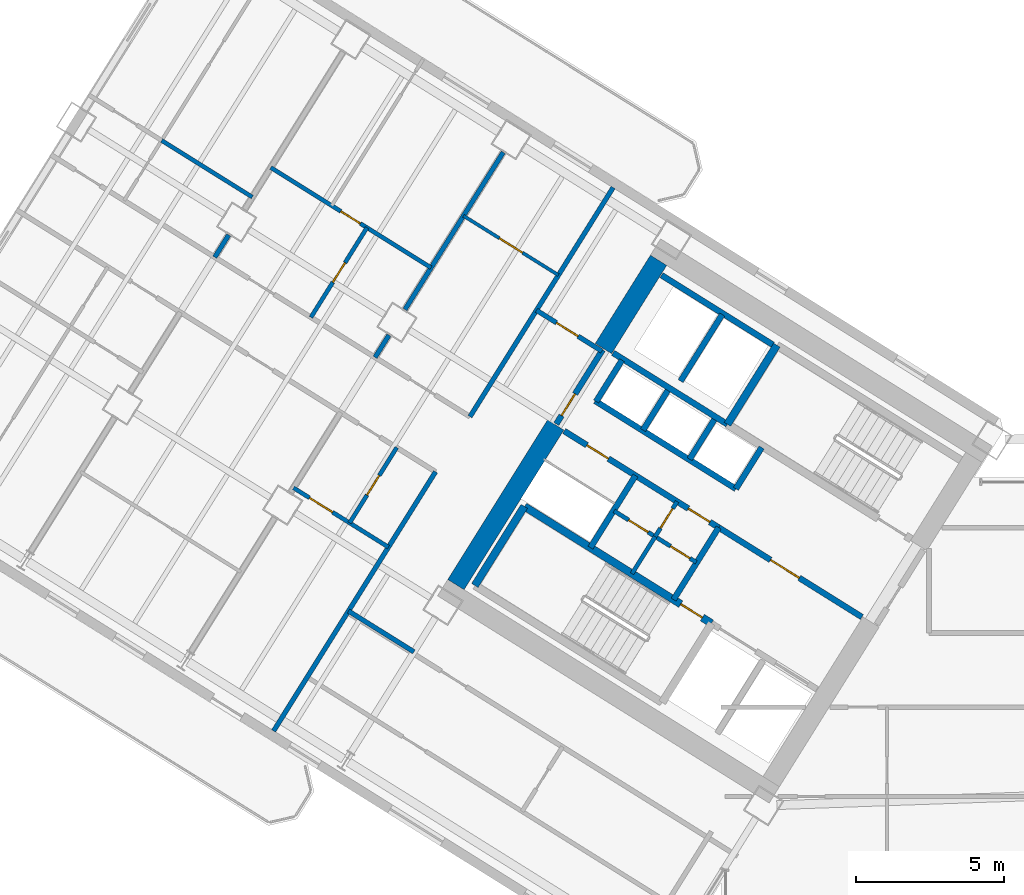
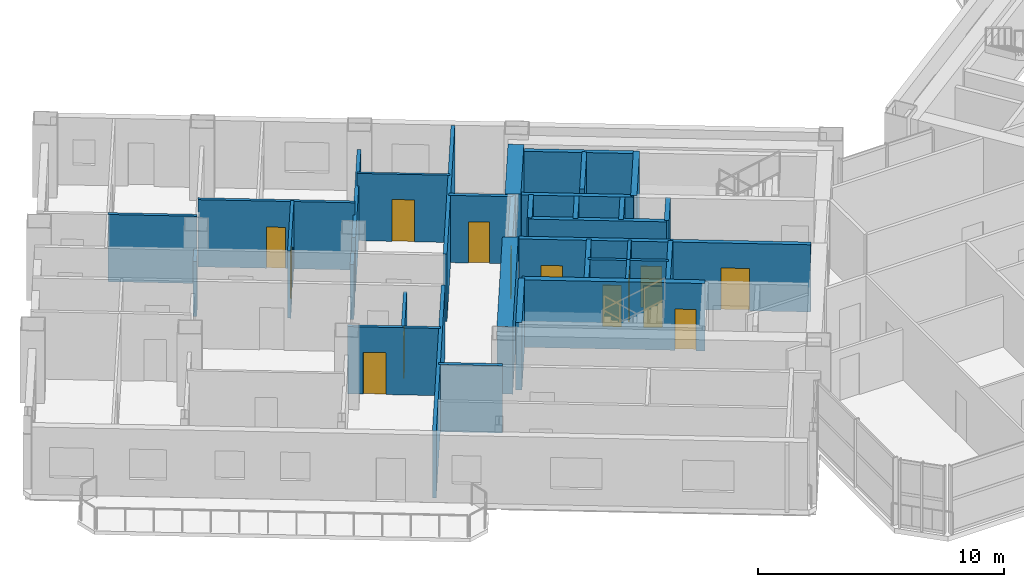
# One storey, part 16 of 24: 34 walls, 14 doors, 14 openings.
"""IFC4 building model written with IfcOpenShell, lengths in metres."""

from ifc_helpers import new_model, si_unit, direction, frame, frame_2d, origin, place, context, subcontext, project, spatial, rectangle, extrude, source, transform, mapped, material, layer, layer_set, type_object, element, fill, save


model = new_model("IFC4")

# Units and contexts
model_context = context("Model", 3, precision=1e-05, world=origin(), true_north=direction((0.0, 1.0)))
body_context = subcontext(model_context, "Body", "Model", "MODEL_VIEW")
ifc_project = project(units=[si_unit("LENGTHUNIT", "METRE"), si_unit("AREAUNIT", "SQUARE_METRE"), si_unit("VOLUMEUNIT", "CUBIC_METRE"), si_unit("PLANEANGLEUNIT", "RADIAN"), si_unit("MASSUNIT", "GRAM", prefix="KILO")], contexts=[model_context])

# Site, building, storey
site_placement = place(None, origin())
site = spatial("IfcSite", under=ifc_project, at=site_placement, CompositionType="ELEMENT")
building_placement = place(site_placement, origin())
building = spatial("IfcBuilding", under=site, at=building_placement, Name="Tlacorven Tower", CompositionType="ELEMENT")
storey_placement = place(building_placement, frame((0.0, 0.0, 45.60009765625)))
storey = spatial("IfcBuildingStorey", under=building, at=storey_placement, Name="L11", CompositionType="ELEMENT", Elevation=45.60009765625)

# Walls
ifc_material_1 = material(Name="Concrete C60/75", Category="concrete")
ifc_layer_1 = layer(ifc_material_1, 0.64990234375)
ifc_layer_set_1 = layer_set([ifc_layer_1], Name="Concrete C60/75")
wall_type_1 = type_object("IfcWallType", Name="WL-COR-650", PredefinedType="SHEAR", material=ifc_layer_set_1)
wall_1_placement = place(storey_placement, frame((29.49072265625, 30.5517578125, 0.0), z_axis=(0.0, 0.0, 1.0), x_axis=(-0.529893103397, -0.8480644427, 0.0)))
element("IfcWall", 1, at=wall_1_placement, inside=storey, type_object=wall_type_1, Name="L11 W core end wall E2.1", PredefinedType="SHEAR", context=body_context, shape_type="SweptSolid", body=[
    extrude(rectangle(XDim=3.525146484375, YDim=0.64990234375, at=frame_2d((1.7626953125, 0.0))), origin(), (0.0, 0.0, 1.0), 3.349853515625),
])
wall_2_placement = place(storey_placement, frame((26.006591796875, 24.975830078125, 0.0), z_axis=(0.0, 0.0, 1.0), x_axis=(-0.529916319127, -0.848049936456, 0.0)))
element("IfcWall", 2, at=wall_2_placement, inside=storey, type_object=wall_type_1, Name="L11 W core end wall E2.2", PredefinedType="SHEAR", context=body_context, shape_type="SweptSolid", body=[
    extrude(rectangle(XDim=6.375, YDim=0.64990234375, at=frame_2d((3.1875, 0.0))), origin(), (0.0, 0.0, 1.0), 3.349853515625),
])

# Wall, opening, door
ifc_material_2 = material(Name="Gypsum plasterboard acoustic partition", Category="gypsum")
ifc_layer_2 = layer(ifc_material_2, 0.159912109375)
ifc_layer_set_2 = layer_set([ifc_layer_2], Name="Gypsum plasterboard acoustic partition")
wall_type_2 = type_object("IfcWallType", Name="WL-DEM-160", PredefinedType="PARTITIONING", material=ifc_layer_set_2)
wall_3_placement = place(storey_placement, frame((27.56982421875, 27.4775390625, 0.0), z_axis=(0.0, 0.0, 1.0), x_axis=(-0.848050851465, 0.529914854792, 0.0)))
wall_3 = element("IfcWall", 3, at=wall_3_placement, inside=storey, type_object=wall_type_2, Name="L11 partition 49", PredefinedType="PARTITIONING", context=body_context, shape_type="SweptSolid", body=[
    extrude(rectangle(XDim=2.60986328125, YDim=0.159912109375, at=frame_2d((1.304931640625, 0.0))), origin(), (0.0, 0.0, 1.0), 3.33984375),
])
opening_1_placement = place(wall_3_placement, frame((0.949951171875, 0.0, 0.0)))
opening_1 = element("IfcOpeningElement", 4, at=opening_1_placement, cuts=wall_3, Name="Opening D19", PredefinedType="OPENING", context=body_context, shape_type="SweptSolid", body=[
    extrude(rectangle(XDim=0.860107421875, YDim=2.050048828125, at=frame_2d((0.43017578125, 1.02490234375))), frame((0.0, 0.08984375, 0.0), z_axis=(0.0, -1.0, 0.0), x_axis=(1.0, 0.0, 0.0)), (0.0, 0.0, 1.0), 0.179931640625),
])
ifc_material_3 = material(Name="Fire-rated steel door assembly", Category="steel")
door_type_1 = type_object("IfcDoorType", Name="DR-RSR-FD60-0860", OperationType="NOTDEFINED", PredefinedType="DOOR", material=ifc_material_3)
shared_shape_1 = source(origin(), body_context, "Body", "SweptSolid", [
    extrude(rectangle(XDim=0.860107421875, YDim=2.050048828125, at=frame_2d((0.43017578125, 1.02490234375))), frame((0.0, 0.02490234375, 0.0), z_axis=(0.0, -1.0, 0.0), x_axis=(1.0, 0.0, 0.0)), (0.0, 0.0, 1.0), 0.050048828125),
])
door_1_placement = place(opening_1_placement, frame((0.860107421875, 0.0, 0.0), z_axis=(0.0, 0.0, 1.0), x_axis=(-1.0, 0.0, 0.0)))
door_1 = element("IfcDoor", 5, at=door_1_placement, inside=storey, type_object=door_type_1, Name="L11 door 021", OperationType="SINGLE_SWING_LEFT", OverallHeight=2.050048828125, OverallWidth=0.860107421875, PredefinedType="DOOR", context=body_context, shape_type="MappedRepresentation", body=[
    mapped(shared_shape_1, transform((0.0, 0.0, 0.0), scale=1.0)),
])
fill(opening_1, door_1)

# Walls
wall_4_placement = place(storey_placement, frame((21.20556640625, 17.29248046875, 0.0), z_axis=(0.0, 0.0, 1.0), x_axis=(-0.848050851465, 0.529914854792, 0.0)))
element("IfcWall", 6, at=wall_4_placement, inside=storey, type_object=wall_type_2, Name="L11 partition 50", PredefinedType="PARTITIONING", context=body_context, shape_type="SweptSolid", body=[
    extrude(rectangle(XDim=2.60986328125, YDim=0.159912109375, at=frame_2d((1.304931640625, 0.0))), origin(), (0.0, 0.0, 1.0), 3.33984375),
])
wall_5_placement = place(storey_placement, frame((27.952880859375, 33.01611328125, 0.0), z_axis=(0.0, 0.0, 1.0), x_axis=(-0.529903001606, -0.848058257957, 0.0)))
element("IfcWall", 7, at=wall_5_placement, inside=storey, type_object=wall_type_2, Name="L11 partition 51", PredefinedType="PARTITIONING", context=body_context, shape_type="SweptSolid", body=[
    extrude(rectangle(XDim=9.150146484375, YDim=0.159912109375, at=frame_2d((4.5751953125, 0.0))), origin(), (0.0, 0.0, 1.0), 3.33984375),
])
wall_6_placement = place(storey_placement, frame((21.9384765625, 23.390625, 0.0), z_axis=(0.0, 0.0, 1.0), x_axis=(-0.529924725692, -0.848044683434, 0.0)))
element("IfcWall", 8, at=wall_6_placement, inside=storey, type_object=wall_type_2, Name="L11 partition 52", PredefinedType="PARTITIONING", context=body_context, shape_type="SweptSolid", body=[
    extrude(rectangle(XDim=10.349853515625, YDim=0.159912109375, at=frame_2d((5.1748046875, 0.0))), origin(), (0.0, 0.0, 1.0), 3.33984375),
])
wall_7_placement = place(storey_placement, frame((24.22900390625, 34.208740234375, 0.0), z_axis=(0.0, 0.0, 1.0), x_axis=(-0.529897533635, -0.848061674554, 0.0)))
element("IfcWall", 9, at=wall_7_placement, inside=storey, type_object=wall_type_2, Name="L11 WS Demising Wall 1", PredefinedType="PARTITIONING", context=body_context, shape_type="SweptSolid", body=[
    extrude(rectangle(XDim=6.276123046875, YDim=0.159912109375, at=frame_2d((3.13818359375, 0.0))), origin(), (0.0, 0.0, 1.0), 2.724853515625),
])
for number, where, z_axis, x_axis, name in (
    (10, (20.360595703125, 28.017822265625, 0.0), (0.0, 0.0, 1.0), (-0.529900064649, -0.848060093086, 0.0), "L11 WS Demising Wall 1"),
    (11, (14.93310546875, 31.409423828125, 0.0), (0.0, 0.0, 1.0), (-0.529776512202, -0.848137280821, 0.0), "L11 WS Demising Wall 2"),
):
    element("IfcWall", number, at=place(storey_placement, frame(where, z_axis=z_axis, x_axis=x_axis)), inside=storey, type_object=wall_type_2, Name=name, PredefinedType="PARTITIONING", context=body_context, shape_type="SweptSolid", body=[
        extrude(rectangle(XDim=0.887939453125, YDim=0.159912109375, at=frame_2d((0.44384765625, 0.0))), origin(), (0.0, 0.0, 1.0), 2.724853515625),
    ])

# Wall, opening, door
ifc_material_4 = material(Name="Gypsum plasterboard partition", Category="gypsum")
ifc_layer_3 = layer(ifc_material_4, 0.110107421875)
ifc_layer_set_3 = layer_set([ifc_layer_3], Name="Gypsum plasterboard partition")
wall_type_3 = type_object("IfcWallType", Name="WL-INT-110", PredefinedType="PARTITIONING", material=ifc_layer_set_3)
wall_8_placement = place(storey_placement, frame((26.099365234375, 30.049560546875, 0.0), z_axis=(0.0, 0.0, 1.0), x_axis=(-0.84803087207, 0.529946827537, 0.0)))
wall_8 = element("IfcWall", 12, at=wall_8_placement, inside=storey, type_object=wall_type_3, Name="L11 partition 66", PredefinedType="PARTITIONING", context=body_context, shape_type="SweptSolid", body=[
    extrude(rectangle(XDim=3.7900390625, YDim=0.110107421875, at=frame_2d((1.89501953125, 0.0))), origin(), (0.0, 0.0, 1.0), 3.33984375),
])
opening_2_placement = place(wall_8_placement, frame((1.43505859375, 0.0, 0.0)))
opening_2 = element("IfcOpeningElement", 13, at=opening_2_placement, cuts=wall_8, Name="Opening D12", PredefinedType="OPENING", context=body_context, shape_type="SweptSolid", body=[
    extrude(rectangle(XDim=0.919921875, YDim=2.080078125, at=frame_2d((0.4599609375, 1.0400390625))), frame((0.0, 0.06494140625, 0.0), z_axis=(0.0, -1.0, 0.0), x_axis=(1.0, 0.0, 0.0)), (0.0, 0.0, 1.0), 0.130126953125),
])
ifc_material_5 = material(Name="Powder-coated aluminium and timber door", Category="wood")
door_type_2 = type_object("IfcDoorType", Name="DR-INT-ROOM-0920", OperationType="NOTDEFINED", PredefinedType="DOOR", material=ifc_material_5)
shared_shape_2 = source(origin(), body_context, "Body", "SweptSolid", [
    extrude(rectangle(XDim=0.919921875, YDim=2.080078125, at=frame_2d((0.4599609375, 1.0400390625))), frame((0.0, 0.02490234375, 0.0), z_axis=(0.0, -1.0, 0.0), x_axis=(1.0, 0.0, 0.0)), (0.0, 0.0, 1.0), 0.050048828125),
])
door_2_placement = place(opening_2_placement, origin())
door_2 = element("IfcDoor", 14, at=door_2_placement, inside=storey, type_object=door_type_2, Name="L11 door 034", OperationType="SINGLE_SWING_LEFT", OverallHeight=2.080078125, OverallWidth=0.919921875, PredefinedType="DOOR", context=body_context, shape_type="MappedRepresentation", body=[
    mapped(shared_shape_2, transform((0.0, 0.0, 0.0), scale=1.0)),
])
fill(opening_2, door_2)

ifc_material_6 = material(Name="Moisture-resistant gypsum plumbing wall", Category="gypsum")
ifc_layer_4 = layer(ifc_material_6, 0.139892578125)
ifc_layer_set_4 = layer_set([ifc_layer_4], Name="Moisture-resistant gypsum plumbing wall")
wall_type_4 = type_object("IfcWallType", Name="WL-PLM-140", PredefinedType="PLUMBINGWALL", material=ifc_layer_set_4)
wall_9_placement = place(storey_placement, frame((30.117431640625, 22.383544921875, 0.0), z_axis=(0.0, 0.0, 1.0), x_axis=(-0.529951914384, -0.848027693204, 0.0)))
wall_9 = element("IfcWall", 15, at=wall_9_placement, inside=storey, type_object=wall_type_4, Name="L11 partition 23", PredefinedType="PLUMBINGWALL", context=body_context, shape_type="SweptSolid", body=[
    extrude(rectangle(XDim=1.39990234375, YDim=0.139892578125, at=frame_2d((0.699951171875, 0.0))), origin(), (0.0, 0.0, 1.0), 3.33984375),
])
opening_3_placement = place(wall_9_placement, frame((0.280029296875, 0.0, 0.0)))
opening_3 = element("IfcOpeningElement", 16, at=opening_3_placement, cuts=wall_9, Name="Opening D22", PredefinedType="OPENING", context=body_context, shape_type="SweptSolid", body=[
    extrude(rectangle(XDim=0.780029296875, YDim=2.050048828125, at=frame_2d((0.39013671875, 1.02490234375))), frame((0.0, 0.080078125, 0.0), z_axis=(0.0, -1.0, 0.0), x_axis=(1.0, 0.0, 0.0)), (0.0, 0.0, 1.0), 0.159912109375),
])
door_type_3 = type_object("IfcDoorType", Name="DR-INT-WET-0780", OperationType="NOTDEFINED", PredefinedType="DOOR", material=ifc_material_5)
shared_shape_3 = source(origin(), body_context, "Body", "SweptSolid", [
    extrude(rectangle(XDim=0.780029296875, YDim=2.050048828125, at=frame_2d((0.39013671875, 1.02490234375))), frame((0.0, 0.02490234375, 0.0), z_axis=(0.0, -1.0, 0.0), x_axis=(1.0, 0.0, 0.0)), (0.0, 0.0, 1.0), 0.050048828125),
])
door_3_placement = place(opening_3_placement, origin())
door_3 = element("IfcDoor", 17, at=door_3_placement, inside=storey, type_object=door_type_3, Name="L11 door 008", OperationType="SINGLE_SWING_RIGHT", OverallHeight=2.050048828125, OverallWidth=0.780029296875, PredefinedType="DOOR", context=body_context, shape_type="MappedRepresentation", body=[
    mapped(shared_shape_3, transform((0.0, 0.0, 0.0), scale=1.0)),
])
fill(opening_3, door_3)

# Wall
wall_10_placement = place(storey_placement, frame((29.37548828125, 21.1962890625, 0.0), z_axis=(0.0, 0.0, 1.0), x_axis=(-0.529865479138, -0.848081702443, 0.0)))
element("IfcWall", 18, at=wall_10_placement, inside=storey, type_object=wall_type_4, Name="L11 partition 24", PredefinedType="PLUMBINGWALL", context=body_context, shape_type="SweptSolid", body=[
    extrude(rectangle(XDim=1.47998046875, YDim=0.139892578125, at=frame_2d((0.739990234375, 0.0))), origin(), (0.0, 0.0, 1.0), 3.33984375),
])

# Wall, openings, doors
wall_11_placement = place(storey_placement, frame((30.766357421875, 20.3271484375, 0.0), z_axis=(0.0, 0.0, 1.0), x_axis=(-0.848052663127, 0.529911955482, 0.0)))
wall_11 = element("IfcWall", 19, at=wall_11_placement, inside=storey, type_object=wall_type_4, Name="L11 partition 25", PredefinedType="PLUMBINGWALL", context=body_context, shape_type="SweptSolid", body=[
    extrude(rectangle(XDim=3.27978515625, YDim=0.139892578125, at=frame_2d((1.639892578125, 0.0))), origin(), (0.0, 0.0, 1.0), 3.33984375),
])
opening_4_placement = place(wall_11_placement, frame((0.25, 0.0, 0.0)))
opening_4 = element("IfcOpeningElement", 20, at=opening_4_placement, cuts=wall_11, Name="Opening D22", PredefinedType="OPENING", context=body_context, shape_type="SweptSolid", body=[
    extrude(rectangle(XDim=0.780029296875, YDim=2.050048828125, at=frame_2d((0.39013671875, 1.02490234375))), frame((0.0, 0.080078125, 0.0), z_axis=(0.0, -1.0, 0.0), x_axis=(1.0, 0.0, 0.0)), (0.0, 0.0, 1.0), 0.159912109375),
])
opening_5_placement = place(wall_11_placement, frame((1.919921875, 0.0, 0.0)))
opening_5 = element("IfcOpeningElement", 21, at=opening_5_placement, cuts=wall_11, Name="Opening D22", PredefinedType="OPENING", context=body_context, shape_type="SweptSolid", body=[
    extrude(rectangle(XDim=0.780029296875, YDim=2.050048828125, at=frame_2d((0.39013671875, 1.02490234375))), frame((0.0, 0.080078125, 0.0), z_axis=(0.0, -1.0, 0.0), x_axis=(1.0, 0.0, 0.0)), (0.0, 0.0, 1.0), 0.159912109375),
])
door_4_placement = place(opening_4_placement, origin())
door_4 = element("IfcDoor", 22, at=door_4_placement, inside=storey, type_object=door_type_3, Name="L11 door 009", OperationType="SINGLE_SWING_LEFT", OverallHeight=2.050048828125, OverallWidth=0.780029296875, PredefinedType="DOOR", context=body_context, shape_type="MappedRepresentation", body=[
    mapped(shared_shape_3, transform((0.0, 0.0, 0.0), scale=1.0)),
])
fill(opening_4, door_4)
door_5_placement = place(opening_5_placement, origin())
door_5 = element("IfcDoor", 23, at=door_5_placement, inside=storey, type_object=door_type_3, Name="L11 door 010", OperationType="SINGLE_SWING_RIGHT", OverallHeight=2.050048828125, OverallWidth=0.780029296875, PredefinedType="DOOR", context=body_context, shape_type="MappedRepresentation", body=[
    mapped(shared_shape_3, transform((0.0, 0.0, 0.0), scale=1.0)),
])
fill(opening_5, door_5)

# Wall, opening, door
wall_12_placement = place(storey_placement, frame((20.34326171875, 20.838134765625, 0.0), z_axis=(0.0, 0.0, 1.0), x_axis=(-0.848059820872, 0.529900500304, 0.0)))
wall_12 = element("IfcWall", 24, at=wall_12_placement, inside=storey, type_object=wall_type_4, Name="L11 partition 57", PredefinedType="PLUMBINGWALL", context=body_context, shape_type="SweptSolid", body=[
    extrude(rectangle(XDim=3.7900390625, YDim=0.139892578125, at=frame_2d((1.89501953125, 0.0))), origin(), (0.0, 0.0, 1.0), 3.33984375),
])
opening_6_placement = place(wall_12_placement, frame((2.22998046875, 0.0, 0.0)))
opening_6 = element("IfcOpeningElement", 25, at=opening_6_placement, cuts=wall_12, Name="Opening D12", PredefinedType="OPENING", context=body_context, shape_type="SweptSolid", body=[
    extrude(rectangle(XDim=0.919921875, YDim=2.080078125, at=frame_2d((0.4599609375, 1.0400390625))), frame((0.0, 0.080078125, 0.0), z_axis=(0.0, -1.0, 0.0), x_axis=(1.0, 0.0, 0.0)), (0.0, 0.0, 1.0), 0.159912109375),
])
door_6_placement = place(opening_6_placement, origin())
door_6 = element("IfcDoor", 26, at=door_6_placement, inside=storey, type_object=door_type_2, Name="L11 door 024", OperationType="SINGLE_SWING_LEFT", OverallHeight=2.080078125, OverallWidth=0.919921875, PredefinedType="DOOR", context=body_context, shape_type="MappedRepresentation", body=[
    mapped(shared_shape_2, transform((0.0, 0.0, 0.0), scale=1.0)),
])
fill(opening_6, door_6)

wall_13_placement = place(storey_placement, frame((20.6240234375, 24.212158203125, 0.0), z_axis=(0.0, 0.0, 1.0), x_axis=(-0.529940615993, -0.848034753722, 0.0)))
wall_13 = element("IfcWall", 27, at=wall_13_placement, inside=storey, type_object=wall_type_4, Name="L11 partition 58", PredefinedType="PLUMBINGWALL", context=body_context, shape_type="SweptSolid", body=[
    extrude(rectangle(XDim=3.01025390625, YDim=0.139892578125, at=frame_2d((1.505126953125, 0.0))), origin(), (0.0, 0.0, 1.0), 2.994873046875),
])
opening_7_placement = place(wall_13_placement, frame((1.114990234375, 0.0, 0.0)))
opening_7 = element("IfcOpeningElement", 28, at=opening_7_placement, cuts=wall_13, Name="Opening D22", PredefinedType="OPENING", context=body_context, shape_type="SweptSolid", body=[
    extrude(rectangle(XDim=0.780029296875, YDim=2.050048828125, at=frame_2d((0.39013671875, 1.02490234375))), frame((0.0, 0.080078125, 0.0), z_axis=(0.0, -1.0, 0.0), x_axis=(1.0, 0.0, 0.0)), (0.0, 0.0, 1.0), 0.159912109375),
])
door_7_placement = place(opening_7_placement, origin())
door_7 = element("IfcDoor", 29, at=door_7_placement, inside=storey, type_object=door_type_3, Name="L11 door 025", OperationType="SINGLE_SWING_RIGHT", OverallHeight=2.050048828125, OverallWidth=0.780029296875, PredefinedType="DOOR", context=body_context, shape_type="MappedRepresentation", body=[
    mapped(shared_shape_3, transform((0.0, 0.0, 0.0), scale=1.0)),
])
fill(opening_7, door_7)

wall_14_placement = place(storey_placement, frame((21.787353515625, 30.30078125, 0.0), z_axis=(0.0, 0.0, 1.0), x_axis=(-0.848049732085, 0.529916646191, 0.0)))
wall_14 = element("IfcWall", 30, at=wall_14_placement, inside=storey, type_object=wall_type_4, Name="L11 partition 68", PredefinedType="PLUMBINGWALL", context=body_context, shape_type="SweptSolid", body=[
    extrude(rectangle(XDim=6.400146484375, YDim=0.139892578125, at=frame_2d((3.2001953125, 0.0))), origin(), (0.0, 0.0, 1.0), 3.33984375),
])
opening_8_placement = place(wall_14_placement, frame((2.823974609375, 0.0, 0.0)))
opening_8 = element("IfcOpeningElement", 31, at=opening_8_placement, cuts=wall_14, Name="Opening D22", PredefinedType="OPENING", context=body_context, shape_type="SweptSolid", body=[
    extrude(rectangle(XDim=0.780029296875, YDim=2.050048828125, at=frame_2d((0.39013671875, 1.02490234375))), frame((0.0, 0.080078125, 0.0), z_axis=(0.0, -1.0, 0.0), x_axis=(1.0, 0.0, 0.0)), (0.0, 0.0, 1.0), 0.159912109375),
])
door_8_placement = place(opening_8_placement, origin())
door_8 = element("IfcDoor", 32, at=door_8_placement, inside=storey, type_object=door_type_3, Name="L11 door 037", OperationType="SINGLE_SWING_RIGHT", OverallHeight=2.050048828125, OverallWidth=0.780029296875, PredefinedType="DOOR", context=body_context, shape_type="MappedRepresentation", body=[
    mapped(shared_shape_3, transform((0.0, 0.0, 0.0), scale=1.0)),
])
fill(opening_8, door_8)

wall_15_placement = place(storey_placement, frame((19.6162109375, 31.657470703125, 0.0), z_axis=(0.0, 0.0, 1.0), x_axis=(-0.529876336437, -0.84807491891, 0.0)))
wall_15 = element("IfcWall", 33, at=wall_15_placement, inside=storey, type_object=wall_type_4, Name="L11 partition 69", PredefinedType="PLUMBINGWALL", context=body_context, shape_type="SweptSolid", body=[
    extrude(rectangle(XDim=3.580078125, YDim=0.139892578125, at=frame_2d((1.7900390625, 0.0))), origin(), (0.0, 0.0, 1.0), 3.33984375),
])
opening_9_placement = place(wall_15_placement, frame((1.39990234375, 0.0, 0.0)))
opening_9 = element("IfcOpeningElement", 34, at=opening_9_placement, cuts=wall_15, Name="Opening D22", PredefinedType="OPENING", context=body_context, shape_type="SweptSolid", body=[
    extrude(rectangle(XDim=0.780029296875, YDim=2.050048828125, at=frame_2d((0.39013671875, 1.02490234375))), frame((0.0, 0.080078125, 0.0), z_axis=(0.0, -1.0, 0.0), x_axis=(1.0, 0.0, 0.0)), (0.0, 0.0, 1.0), 0.159912109375),
])
door_9_placement = place(opening_9_placement, origin())
door_9 = element("IfcDoor", 35, at=door_9_placement, inside=storey, type_object=door_type_3, Name="L11 door 038", OperationType="SINGLE_SWING_LEFT", OverallHeight=2.050048828125, OverallWidth=0.780029296875, PredefinedType="DOOR", context=body_context, shape_type="MappedRepresentation", body=[
    mapped(shared_shape_3, transform((0.0, 0.0, 0.0), scale=1.0)),
])
fill(opening_9, door_9)

# Wall
wall_16_placement = place(storey_placement, frame((15.734375, 32.691650390625, 0.0), z_axis=(0.0, 0.0, 1.0), x_axis=(-0.848051346257, 0.52991406295, 0.0)))
element("IfcWall", 36, at=wall_16_placement, inside=storey, type_object=wall_type_4, Name="L11 partition 74", PredefinedType="PLUMBINGWALL", context=body_context, shape_type="SweptSolid", body=[
    extrude(rectangle(XDim=3.619873046875, YDim=0.139892578125, at=frame_2d((1.81005859375, 0.0))), origin(), (0.0, 0.0, 1.0), 3.33984375),
])

# Wall, opening, door
ifc_material_7 = material(Name="Concrete C40/50", Category="concrete")
ifc_layer_5 = layer(ifc_material_7, 0.199951171875)
ifc_layer_set_5 = layer_set([ifc_layer_5], Name="Concrete C40/50")
wall_type_5 = type_object("IfcWallType", Name="WL-SHF-200", PredefinedType="STANDARD", material=ifc_layer_set_5)
wall_17_placement = place(storey_placement, frame((36.374267578125, 18.4736328125, 0.0), z_axis=(0.0, 0.0, 1.0), x_axis=(-0.848051071577, 0.529914502535, 0.0)))
wall_17 = element("IfcWall", 37, at=wall_17_placement, inside=storey, type_object=wall_type_5, Name="L11 Core W Smoke Lobby Wall", PredefinedType="STANDARD", context=body_context, shape_type="SweptSolid", body=[
    extrude(rectangle(XDim=5.718017578125, YDim=0.199951171875, at=frame_2d((2.85888671875, 0.0))), origin(), (0.0, 0.0, 1.0), 3.33984375),
])
opening_10_placement = place(wall_17_placement, frame((2.498046875, 0.0, 0.0)))
opening_10 = element("IfcOpeningElement", 38, at=opening_10_placement, cuts=wall_17, Name="Opening D09", PredefinedType="OPENING", context=body_context, shape_type="SweptSolid", body=[
    extrude(rectangle(XDim=1.14990234375, YDim=2.10009765625, at=frame_2d((0.574951171875, 1.050048828125))), frame((0.0, 0.10986328125, 0.0), z_axis=(0.0, -1.0, 0.0), x_axis=(1.0, 0.0, 0.0)), (0.0, 0.0, 1.0), 0.219970703125),
])
door_type_4 = type_object("IfcDoorType", Name="DR-FFL-FD60-1150", OperationType="NOTDEFINED", PredefinedType="DOOR", material=ifc_material_3)
shared_shape_4 = source(origin(), body_context, "Body", "SweptSolid", [
    extrude(rectangle(XDim=1.14990234375, YDim=2.10009765625, at=frame_2d((0.574951171875, 1.050048828125))), frame((0.0, 0.02490234375, 0.0), z_axis=(0.0, -1.0, 0.0), x_axis=(1.0, 0.0, 0.0)), (0.0, 0.0, 1.0), 0.050048828125),
])
door_10_placement = place(opening_10_placement, origin())
door_10 = element("IfcDoor", 39, at=door_10_placement, inside=storey, type_object=door_type_4, Name="L11 Firefighting Lobby W Fire Door", OperationType="SINGLE_SWING_LEFT", OverallHeight=2.10009765625, OverallWidth=1.14990234375, PredefinedType="DOOR", context=body_context, shape_type="MappedRepresentation", body=[
    mapped(shared_shape_4, transform((0.0, 0.0, 0.0), scale=1.0)),
])
fill(opening_10, door_10)

# Walls
wall_18_placement = place(storey_placement, frame((31.82177734375, 24.99755859375, 0.0), z_axis=(0.0, 0.0, 1.0), x_axis=(-0.848058348634, 0.529902856485, 0.0)))
element("IfcWall", 40, at=wall_18_placement, inside=storey, type_object=wall_type_5, Name="L11 Core W South Lift Shaft Wall", PredefinedType="STANDARD", context=body_context, shape_type="SweptSolid", body=[
    extrude(rectangle(XDim=4.568115234375, YDim=0.199951171875, at=frame_2d((2.2841796875, 0.0))), origin(), (0.0, 0.0, 1.0), 3.33984375),
])
wall_19_placement = place(storey_placement, frame((32.108154296875, 22.81396484375, 0.0), z_axis=(0.0, 0.0, 1.0), x_axis=(-0.848042229521, 0.529928652696, 0.0)))
element("IfcWall", 41, at=wall_19_placement, inside=storey, type_object=wall_type_5, Name="L11 partition 11", PredefinedType="STANDARD", context=body_context, shape_type="SweptSolid", body=[
    extrude(rectangle(XDim=5.6201171875, YDim=0.199951171875, at=frame_2d((2.81005859375, 0.0))), origin(), (0.0, 0.0, 1.0), 3.33984375),
])
wall_20_placement = place(storey_placement, frame((32.982421875, 24.21337890625, 0.0), z_axis=(0.0, 0.0, 1.0), x_axis=(-0.529839334948, -0.84809803628, 0.0)))
element("IfcWall", 42, at=wall_20_placement, inside=storey, type_object=wall_type_5, Name="L11 partition 12", PredefinedType="STANDARD", context=body_context, shape_type="SweptSolid", body=[
    extrude(rectangle(XDim=1.650146484375, YDim=0.199951171875, at=frame_2d((0.8251953125, 0.0))), origin(), (0.0, 0.0, 1.0), 3.33984375),
])
wall_21_placement = place(storey_placement, frame((28.250244140625, 27.170166015625, 0.0), z_axis=(0.0, 0.0, 1.0), x_axis=(-0.529905827651, -0.848056492117, 0.0)))
element("IfcWall", 43, at=wall_21_placement, inside=storey, type_object=wall_type_5, Name="L11 partition 13", PredefinedType="STANDARD", context=body_context, shape_type="SweptSolid", body=[
    extrude(rectangle(XDim=1.64990234375, YDim=0.199951171875, at=frame_2d((0.824951171875, 0.0))), origin(), (0.0, 0.0, 1.0), 3.33984375),
])
wall_22_placement = place(storey_placement, frame((31.645263671875, 28.716064453125, 0.0), z_axis=(0.0, 0.0, 1.0), x_axis=(-0.52986693015, -0.848080795876, 0.0)))
element("IfcWall", 44, at=wall_22_placement, inside=storey, type_object=wall_type_5, Name="L11 partition 15", PredefinedType="STANDARD", context=body_context, shape_type="SweptSolid", body=[
    extrude(rectangle(XDim=2.659912109375, YDim=0.199951171875, at=frame_2d((1.330078125, 0.0))), origin(), (0.0, 0.0, 1.0), 3.33984375),
])
wall_23_placement = place(storey_placement, frame((33.362548828125, 27.690185546875, 0.0), z_axis=(0.0, 0.0, 1.0), x_axis=(-0.848053806312, 0.529910125964, 0.0)))
element("IfcWall", 45, at=wall_23_placement, inside=storey, type_object=wall_type_5, Name="L11 partition 17", PredefinedType="STANDARD", context=body_context, shape_type="SweptSolid", body=[
    extrude(rectangle(XDim=4.44775390625, YDim=0.199951171875, at=frame_2d((2.223876953125, 0.0))), origin(), (0.0, 0.0, 1.0), 3.33984375),
])
for number, where, z_axis, x_axis, name in (
    (46, (31.378662109375, 25.156494140625, 0.0), (0.0, 0.0, 1.0), (-0.529998940003, -0.847998304005, 0.0), "L11 partition 18"),
    (47, (29.80126953125, 26.14208984375, 0.0), (0.0, 0.0, 1.0), (-0.529998940003, -0.847998304005, 0.0), "L11 partition 19"),
):
    element("IfcWall", number, at=place(storey_placement, frame(where, z_axis=z_axis, x_axis=x_axis)), inside=storey, type_object=wall_type_5, Name=name, PredefinedType="STANDARD", context=body_context, shape_type="SweptSolid", body=[
        extrude(rectangle(XDim=1.580078125, YDim=0.199951171875, at=frame_2d((0.7900390625, 0.0))), origin(), (0.0, 0.0, 1.0), 3.33984375),
    ])
for number, where, z_axis, x_axis, name in (
    (48, (31.525146484375, 21.503662109375, 0.0), (0.0, 0.0, 1.0), (-0.529907497854, -0.848055448493, 0.0), "L11 partition 20"),
    (49, (28.709716796875, 23.26318359375, 0.0), (0.0, 0.0, 1.0), (-0.529907497854, -0.848055448493, 0.0), "L11 partition 21"),
):
    element("IfcWall", number, at=place(storey_placement, frame(where, z_axis=z_axis, x_axis=x_axis)), inside=storey, type_object=wall_type_5, Name=name, PredefinedType="STANDARD", context=body_context, shape_type="SweptSolid", body=[
        extrude(rectangle(XDim=2.8798828125, YDim=0.199951171875, at=frame_2d((1.43994140625, 0.0))), origin(), (0.0, 0.0, 1.0), 3.33984375),
    ])

# Wall, openings, doors
wall_24_placement = place(storey_placement, frame((31.525146484375, 21.503662109375, 0.0), z_axis=(0.0, 0.0, 1.0), x_axis=(-0.848044998614, 0.529924221305, 0.0)))
wall_24 = element("IfcWall", 50, at=wall_24_placement, inside=storey, type_object=wall_type_5, Name="L11 Core W North Service Wall", PredefinedType="STANDARD", context=body_context, shape_type="SweptSolid", body=[
    extrude(rectangle(XDim=6.16796875, YDim=0.199951171875, at=frame_2d((3.083984375, 0.0))), origin(), (0.0, 0.0, 1.0), 3.33984375),
])
opening_11_placement = place(wall_24_placement, frame((4.39990234375, 0.0, 0.0)))
opening_11 = element("IfcOpeningElement", 51, at=opening_11_placement, cuts=wall_24, Name="Opening D19", PredefinedType="OPENING", context=body_context, shape_type="SweptSolid", body=[
    extrude(rectangle(XDim=0.860107421875, YDim=2.050048828125, at=frame_2d((0.43017578125, 1.02490234375))), frame((0.0, 0.10986328125, 0.0), z_axis=(0.0, -1.0, 0.0), x_axis=(1.0, 0.0, 0.0)), (0.0, 0.0, 1.0), 0.219970703125),
])
opening_12_placement = place(wall_24_placement, frame((0.35009765625, 0.0, 0.0)))
opening_12 = element("IfcOpeningElement", 52, at=opening_12_placement, cuts=wall_24, Name="Opening D19", PredefinedType="OPENING", context=body_context, shape_type="SweptSolid", body=[
    extrude(rectangle(XDim=0.860107421875, YDim=2.050048828125, at=frame_2d((0.43017578125, 1.02490234375))), frame((0.0, 0.10986328125, 0.0), z_axis=(0.0, -1.0, 0.0), x_axis=(1.0, 0.0, 0.0)), (0.0, 0.0, 1.0), 0.219970703125),
])
door_11_placement = place(opening_11_placement, frame((0.860107421875, 0.0, 0.0), z_axis=(0.0, 0.0, 1.0), x_axis=(-1.0, 0.0, 0.0)))
door_11 = element("IfcDoor", 53, at=door_11_placement, inside=storey, type_object=door_type_1, Name="L11 Electrical Riser Access Door W", OperationType="SINGLE_SWING_RIGHT", OverallHeight=2.050048828125, OverallWidth=0.860107421875, PredefinedType="DOOR", context=body_context, shape_type="MappedRepresentation", body=[
    mapped(shared_shape_1, transform((0.0, 0.0, 0.0), scale=1.0)),
])
fill(opening_11, door_11)
door_12_placement = place(opening_12_placement, frame((0.860107421875, 0.0, 0.0), z_axis=(0.0, 0.0, 1.0), x_axis=(-1.0, 0.0, 0.0)))
door_12 = element("IfcDoor", 54, at=door_12_placement, inside=storey, type_object=door_type_1, Name="L11 Cleaning Room Access Door W", OperationType="SINGLE_SWING_LEFT", OverallHeight=2.050048828125, OverallWidth=0.860107421875, PredefinedType="DOOR", context=body_context, shape_type="MappedRepresentation", body=[
    mapped(shared_shape_1, transform((0.0, 0.0, 0.0), scale=1.0)),
])
fill(opening_12, door_12)

# Wall, opening, door
wall_25_placement = place(storey_placement, frame((27.59619140625, 27.52001953125, 0.0), z_axis=(0.0, 0.0, 1.0), x_axis=(-0.529865479138, -0.848081702443, 0.0)))
wall_25 = element("IfcWall", 55, at=wall_25_placement, inside=storey, type_object=wall_type_5, Name="L11 partition 48", PredefinedType="STANDARD", context=body_context, shape_type="SweptSolid", body=[
    extrude(rectangle(XDim=2.9599609375, YDim=0.199951171875, at=frame_2d((1.47998046875, 0.0))), origin(), (0.0, 0.0, 1.0), 3.33984375),
])
opening_13_placement = place(wall_25_placement, frame((1.760009765625, 0.0, 0.0)))
opening_13 = element("IfcOpeningElement", 56, at=opening_13_placement, cuts=wall_25, Name="Opening D19", PredefinedType="OPENING", context=body_context, shape_type="SweptSolid", body=[
    extrude(rectangle(XDim=0.860107421875, YDim=2.050048828125, at=frame_2d((0.43017578125, 1.02490234375))), frame((0.0, 0.10986328125, 0.0), z_axis=(0.0, -1.0, 0.0), x_axis=(1.0, 0.0, 0.0)), (0.0, 0.0, 1.0), 0.219970703125),
])
door_13_placement = place(opening_13_placement, origin())
door_13 = element("IfcDoor", 57, at=door_13_placement, inside=storey, type_object=door_type_1, Name="L11 door 022", OperationType="SINGLE_SWING_LEFT", OverallHeight=2.050048828125, OverallWidth=0.860107421875, PredefinedType="DOOR", context=body_context, shape_type="MappedRepresentation", body=[
    mapped(shared_shape_1, transform((0.0, 0.0, 0.0), scale=1.0)),
])
fill(opening_13, door_13)

ifc_material_8 = material(Name="Concrete C50/60", Category="concrete")
ifc_layer_6 = layer(ifc_material_8, 0.260009765625)
ifc_layer_set_6 = layer_set([ifc_layer_6], Name="Concrete C50/60")
wall_type_6 = type_object("IfcWallType", Name="WL-STW-260", PredefinedType="SHEAR", material=ifc_layer_set_6)
wall_26_placement = place(storey_placement, frame((31.279541015625, 18.26123046875, 0.0), z_axis=(0.0, 0.0, 1.0), x_axis=(-0.848051618787, 0.529913626805, 0.0)))
wall_26 = element("IfcWall", 58, at=wall_26_placement, inside=storey, type_object=wall_type_6, Name="L11 Stair W1 Lobby Shear Wall", PredefinedType="SHEAR", context=body_context, shape_type="SweptSolid", body=[
    extrude(rectangle(XDim=7.4599609375, YDim=0.260009765625, at=frame_2d((3.72998046875, 0.0))), origin(), (0.0, 0.0, 1.0), 3.349853515625),
])
opening_14_placement = place(wall_26_placement, frame((0.360107421875, 0.0, 0.0)))
opening_14 = element("IfcOpeningElement", 59, at=opening_14_placement, cuts=wall_26, Name="Opening D19", PredefinedType="OPENING", context=body_context, shape_type="SweptSolid", body=[
    extrude(rectangle(XDim=0.860107421875, YDim=2.050048828125, at=frame_2d((0.43017578125, 1.02490234375))), frame((0.0, 0.14013671875, 0.0), z_axis=(0.0, -1.0, 0.0), x_axis=(1.0, 0.0, 0.0)), (0.0, 0.0, 1.0), 0.280029296875),
])
door_14_placement = place(opening_14_placement, frame((0.860107421875, 0.0, 0.0), z_axis=(0.0, 0.0, 1.0), x_axis=(-1.0, 0.0, 0.0)))
door_14 = element("IfcDoor", 60, at=door_14_placement, inside=storey, type_object=door_type_1, Name="L11 Exit Stair W1 Fire Door", OperationType="SINGLE_SWING_LEFT", OverallHeight=2.050048828125, OverallWidth=0.860107421875, PredefinedType="DOOR", context=body_context, shape_type="MappedRepresentation", body=[
    mapped(shared_shape_1, transform((0.0, 0.0, 0.0), scale=1.0)),
])
fill(opening_14, door_14)

# Walls
for number, where, z_axis, x_axis, name in (
    (61, (24.944580078125, 22.2197265625, 0.0), (0.0, 0.0, 1.0), (-0.529908658664, -0.84805472316, 0.0), "L11 Stair W1 East Shear Wall"),
    (62, (33.496337890625, 27.677490234375, 0.0), (0.0, 0.0, 1.0), (-0.529908658664, -0.84805472316, 0.0), "L11 Stair W2 East Shear Wall"),
):
    element("IfcWall", number, at=place(storey_placement, frame(where, z_axis=z_axis, x_axis=x_axis)), inside=storey, type_object=wall_type_6, Name=name, PredefinedType="SHEAR", context=body_context, shape_type="SweptSolid", body=[
        extrude(rectangle(XDim=3.16015625, YDim=0.260009765625, at=frame_2d((1.580078125, 0.0))), origin(), (0.0, 0.0, 1.0), 3.349853515625),
    ])

save(model, "model.ifc")
